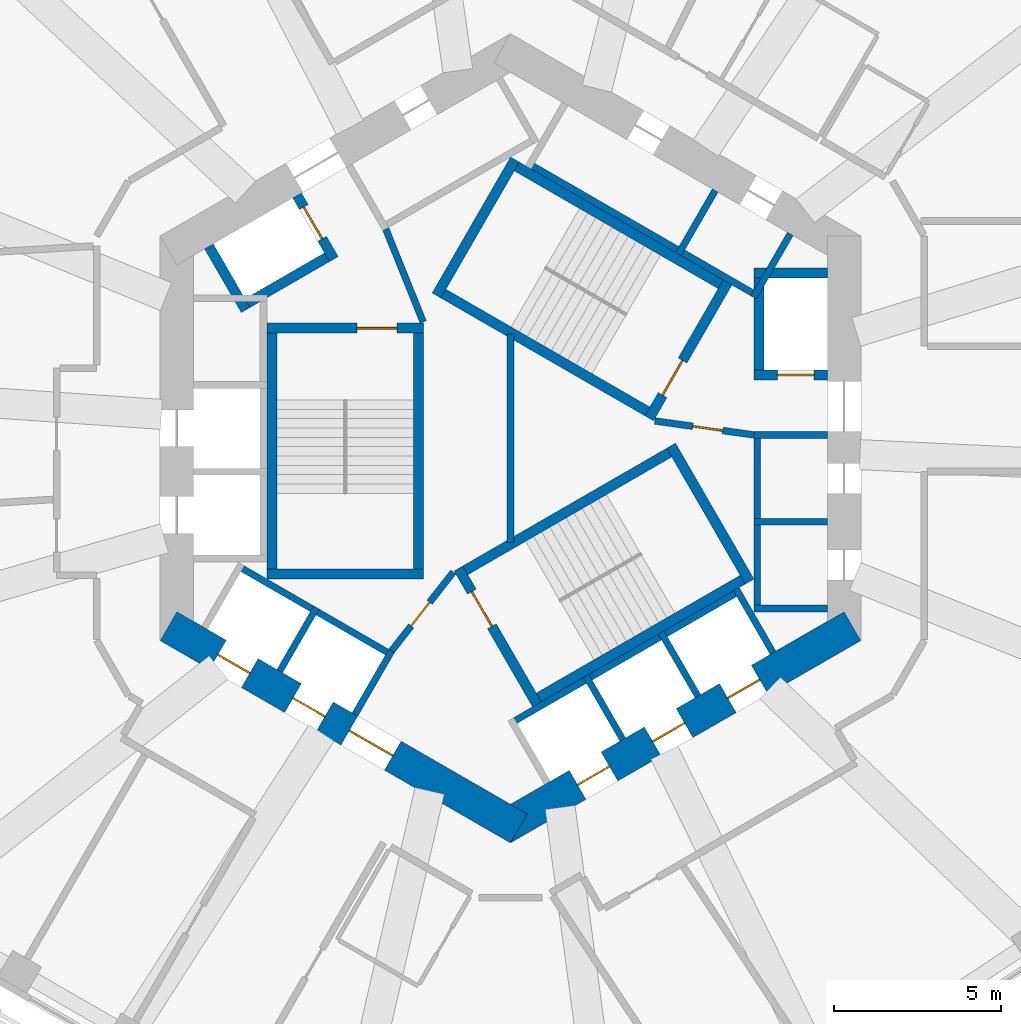
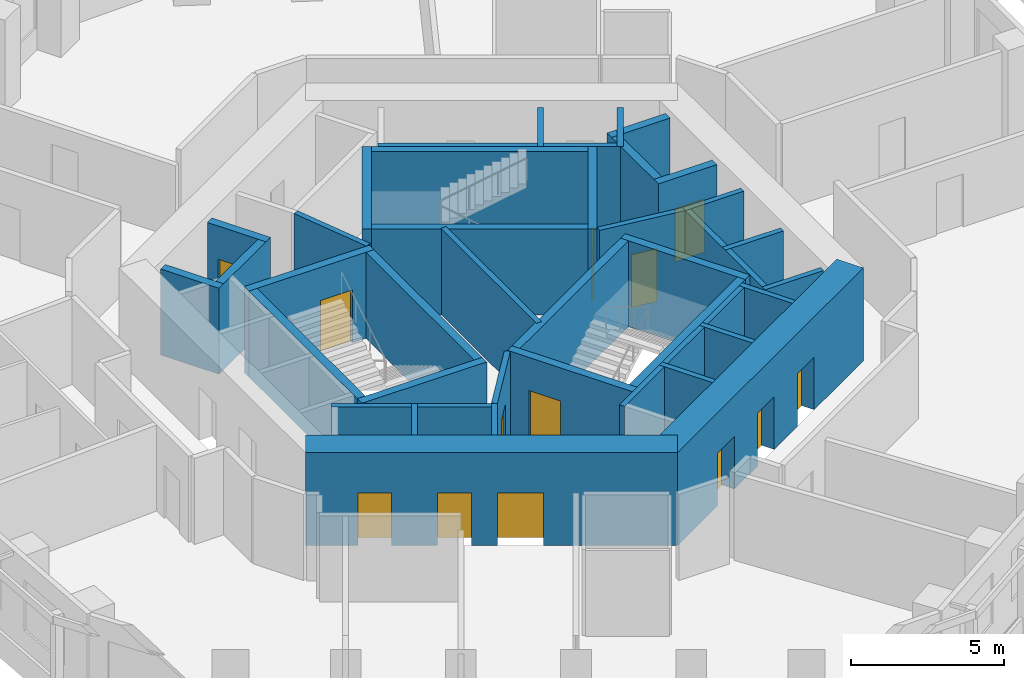
# One storey, part 5 of 10: 38 walls, 13 doors, 13 openings.
"""IFC4 building model written with IfcOpenShell, lengths in metres."""

from ifc_helpers import new_model, si_unit, direction, frame, frame_2d, origin, place, context, subcontext, project, spatial, rectangle, extrude, material, layer, layer_set, type_object, element, fill, save


model = new_model("IFC4")

# Units and contexts
model_context = context("Model", 3, precision=1e-05, world=origin(), true_north=direction((0.0, 1.0)))
body_context = subcontext(model_context, "Body", "Model", "MODEL_VIEW")
ifc_project = project(units=[si_unit("LENGTHUNIT", "METRE"), si_unit("AREAUNIT", "SQUARE_METRE"), si_unit("VOLUMEUNIT", "CUBIC_METRE"), si_unit("PLANEANGLEUNIT", "RADIAN"), si_unit("MASSUNIT", "GRAM", prefix="KILO")], contexts=[model_context])

# Site, building, storey
site_placement = place(None, origin())
site = spatial("IfcSite", under=ifc_project, at=site_placement, CompositionType="ELEMENT")
building_placement = place(site_placement, origin())
building = spatial("IfcBuilding", under=site, at=building_placement, Name="Vanh Sen Convention Tower", CompositionType="ELEMENT")
storey_placement = place(building_placement, frame((0.0, 0.0, 157.699951171875)))
storey = spatial("IfcBuildingStorey", under=building, at=storey_placement, Name="L38", CompositionType="ELEMENT", Elevation=157.699951171875)

# Wall, openings, doors
ifc_material_1 = material(Name="Concrete C80/95", Category="concrete")
ifc_layer_1 = layer(ifc_material_1, 1.0)
ifc_layer_set_1 = layer_set([ifc_layer_1], Name="Concrete C80/95")
wall_type_1 = type_object("IfcWallType", Name="Core outer wall 1000 C80/95", PredefinedType="SHEAR", material=ifc_layer_set_1)
wall_1_placement = place(storey_placement, frame((-10.25, -5.629150390625, 0.0), z_axis=(0.0, 0.0, 1.0), x_axis=(0.866022616891, -0.50000482701, 0.0)))
wall_1 = element("IfcWall", 1, at=wall_1_placement, inside=storey, type_object=wall_type_1, Name="Core wall face SW L38", PredefinedType="SHEAR", context=body_context, shape_type="SweptSolid", body=[
    extrude(rectangle(XDim=12.12451171875, YDim=1.0, at=frame_2d((6.062255859375, 0.0))), origin(), (0.0, 0.0, 1.0), 3.699951171875),
])
opening_1_placement = place(wall_1_placement, frame((6.26220703125, 0.0, 0.0)))
opening_1 = element("IfcOpeningElement", 2, at=opening_1_placement, cuts=wall_1, Name="Opening D38003", PredefinedType="OPENING", context=body_context, shape_type="SweptSolid", body=[
    extrude(rectangle(XDim=1.5, YDim=2.10009765625, at=frame_2d((0.75, 1.050048828125))), frame((0.0, 0.510009765625, 0.0), z_axis=(0.0, -1.0, 0.0), x_axis=(1.0, 0.0, 0.0)), (0.0, 0.0, 1.0), 1.02001953125),
])
opening_2_placement = place(wall_1_placement, frame((1.712158203125, 0.0, 0.0)))
opening_2 = element("IfcOpeningElement", 3, at=opening_2_placement, cuts=wall_1, Name="Opening LD-HR3", PredefinedType="OPENING", context=body_context, shape_type="SweptSolid", body=[
    extrude(rectangle(XDim=1.10009765625, YDim=2.10009765625, at=frame_2d((0.550048828125, 1.050048828125))), frame((0.0, 0.510009765625, 0.0), z_axis=(0.0, -1.0, 0.0), x_axis=(1.0, 0.0, 0.0)), (0.0, 0.0, 1.0), 1.02001953125),
])
opening_3_placement = place(wall_1_placement, frame((4.312255859375, 0.0, 0.0)))
opening_3 = element("IfcOpeningElement", 4, at=opening_3_placement, cuts=wall_1, Name="Opening LD-HR4", PredefinedType="OPENING", context=body_context, shape_type="SweptSolid", body=[
    extrude(rectangle(XDim=1.10009765625, YDim=2.10009765625, at=frame_2d((0.550048828125, 1.050048828125))), frame((0.0, 0.510009765625, 0.0), z_axis=(0.0, -1.0, 0.0), x_axis=(1.0, 0.0, 0.0)), (0.0, 0.0, 1.0), 1.02001953125),
])
ifc_material_2 = material(Name="Stainless steel", Category="steel")
door_type_1 = type_object("IfcDoorType", Name="Lift landing door 1100", OperationType="DOUBLE_DOOR_SLIDING", PredefinedType="DOOR", material=ifc_material_2)
door_1_placement = place(opening_2_placement, origin())
door_1 = element("IfcDoor", 5, at=door_1_placement, inside=storey, type_object=door_type_1, Name="Lift HR3 landing door LD-HR3", OperationType="DOUBLE_DOOR_SLIDING", OverallHeight=2.10009765625, OverallWidth=1.10009765625, PredefinedType="DOOR", context=body_context, shape_type="SweptSolid", body=[
    extrude(rectangle(XDim=1.10009765625, YDim=2.10009765625, at=frame_2d((0.550048828125, 1.050048828125))), frame((0.0, 0.02490234375, 0.0), z_axis=(0.0, -1.0, 0.0), x_axis=(1.0, 0.0, 0.0)), (0.0, 0.0, 1.0), 0.050048828125),
])
fill(opening_2, door_1)
door_2_placement = place(opening_3_placement, origin())
door_2 = element("IfcDoor", 6, at=door_2_placement, inside=storey, type_object=door_type_1, Name="Lift HR4 landing door LD-HR4", OperationType="DOUBLE_DOOR_SLIDING", OverallHeight=2.10009765625, OverallWidth=1.10009765625, PredefinedType="DOOR", context=body_context, shape_type="SweptSolid", body=[
    extrude(rectangle(XDim=1.10009765625, YDim=2.10009765625, at=frame_2d((0.550048828125, 1.050048828125))), frame((0.0, 0.02490234375, 0.0), z_axis=(0.0, -1.0, 0.0), x_axis=(1.0, 0.0, 0.0)), (0.0, 0.0, 1.0), 0.050048828125),
])
fill(opening_3, door_2)
ifc_material_3 = material(Name="Steel S355", Category="steel")
door_type_2 = type_object("IfcDoorType", Name="Stair lobby door 1500", OperationType="DOUBLE_DOOR_SINGLE_SWING", PredefinedType="DOOR", material=ifc_material_3)
door_3_placement = place(opening_1_placement, origin())
door_3 = element("IfcDoor", 7, at=door_3_placement, inside=storey, type_object=door_type_2, Name="Stair lobby door D38003", OperationType="DOUBLE_DOOR_SINGLE_SWING", OverallHeight=2.10009765625, OverallWidth=1.5, PredefinedType="DOOR", context=body_context, shape_type="SweptSolid", body=[
    extrude(rectangle(XDim=1.5, YDim=2.10009765625, at=frame_2d((0.75, 1.050048828125))), frame((0.0, 0.02490234375, 0.0), z_axis=(0.0, -1.0, 0.0), x_axis=(1.0, 0.0, 0.0)), (0.0, 0.0, 1.0), 0.050048828125),
])
fill(opening_1, door_3)

wall_2_placement = place(storey_placement, frame((-0.25, -11.69140625, 0.0), z_axis=(0.0, 0.0, 1.0), x_axis=(0.866022616891, 0.50000482701, 0.0)))
wall_2 = element("IfcWall", 8, at=wall_2_placement, inside=storey, type_object=wall_type_1, Name="Core wall face SE L38", PredefinedType="SHEAR", context=body_context, shape_type="SweptSolid", body=[
    extrude(rectangle(XDim=12.12451171875, YDim=1.0, at=frame_2d((6.062255859375, 0.0))), origin(), (0.0, 0.0, 1.0), 3.699951171875),
])
opening_4_placement = place(wall_2_placement, frame((2.6123046875, 0.0, 0.0)))
opening_4 = element("IfcOpeningElement", 9, at=opening_4_placement, cuts=wall_2, Name="Opening LD-HR5", PredefinedType="OPENING", context=body_context, shape_type="SweptSolid", body=[
    extrude(rectangle(XDim=1.10009765625, YDim=2.10009765625, at=frame_2d((0.550048828125, 1.050048828125))), frame((0.0, 0.510009765625, 0.0), z_axis=(0.0, -1.0, 0.0), x_axis=(1.0, 0.0, 0.0)), (0.0, 0.0, 1.0), 1.02001953125),
])
opening_5_placement = place(wall_2_placement, frame((5.212158203125, 0.0, 0.0)))
opening_5 = element("IfcOpeningElement", 10, at=opening_5_placement, cuts=wall_2, Name="Opening LD-HR6", PredefinedType="OPENING", context=body_context, shape_type="SweptSolid", body=[
    extrude(rectangle(XDim=1.10009765625, YDim=2.10009765625, at=frame_2d((0.550048828125, 1.050048828125))), frame((0.0, 0.510009765625, 0.0), z_axis=(0.0, -1.0, 0.0), x_axis=(1.0, 0.0, 0.0)), (0.0, 0.0, 1.0), 1.02001953125),
])
opening_6_placement = place(wall_2_placement, frame((7.812255859375, 0.0, 0.0)))
opening_6 = element("IfcOpeningElement", 11, at=opening_6_placement, cuts=wall_2, Name="Opening LD-SV1", PredefinedType="OPENING", context=body_context, shape_type="SweptSolid", body=[
    extrude(rectangle(XDim=1.10009765625, YDim=2.10009765625, at=frame_2d((0.550048828125, 1.050048828125))), frame((0.0, 0.510009765625, 0.0), z_axis=(0.0, -1.0, 0.0), x_axis=(1.0, 0.0, 0.0)), (0.0, 0.0, 1.0), 1.02001953125),
])
door_4_placement = place(opening_4_placement, origin())
door_4 = element("IfcDoor", 12, at=door_4_placement, inside=storey, type_object=door_type_1, Name="Lift HR5 landing door LD-HR5", OperationType="DOUBLE_DOOR_SLIDING", OverallHeight=2.10009765625, OverallWidth=1.10009765625, PredefinedType="DOOR", context=body_context, shape_type="SweptSolid", body=[
    extrude(rectangle(XDim=1.10009765625, YDim=2.10009765625, at=frame_2d((0.550048828125, 1.050048828125))), frame((0.0, 0.02490234375, 0.0), z_axis=(0.0, -1.0, 0.0), x_axis=(1.0, 0.0, 0.0)), (0.0, 0.0, 1.0), 0.050048828125),
])
fill(opening_4, door_4)
door_5_placement = place(opening_5_placement, origin())
door_5 = element("IfcDoor", 13, at=door_5_placement, inside=storey, type_object=door_type_1, Name="Lift HR6 landing door LD-HR6", OperationType="DOUBLE_DOOR_SLIDING", OverallHeight=2.10009765625, OverallWidth=1.10009765625, PredefinedType="DOOR", context=body_context, shape_type="SweptSolid", body=[
    extrude(rectangle(XDim=1.10009765625, YDim=2.10009765625, at=frame_2d((0.550048828125, 1.050048828125))), frame((0.0, 0.02490234375, 0.0), z_axis=(0.0, -1.0, 0.0), x_axis=(1.0, 0.0, 0.0)), (0.0, 0.0, 1.0), 0.050048828125),
])
fill(opening_5, door_5)
door_6_placement = place(opening_6_placement, origin())
door_6 = element("IfcDoor", 14, at=door_6_placement, inside=storey, type_object=door_type_1, Name="Lift SV1 landing door LD-SV1", OperationType="DOUBLE_DOOR_SLIDING", OverallHeight=2.10009765625, OverallWidth=1.10009765625, PredefinedType="DOOR", context=body_context, shape_type="SweptSolid", body=[
    extrude(rectangle(XDim=1.10009765625, YDim=2.10009765625, at=frame_2d((0.550048828125, 1.050048828125))), frame((0.0, 0.02490234375, 0.0), z_axis=(0.0, -1.0, 0.0), x_axis=(1.0, 0.0, 0.0)), (0.0, 0.0, 1.0), 0.050048828125),
])
fill(opening_6, door_6)

# Wall
ifc_material_4 = material(Name="Masonry blockwork", Category="masonry")
ifc_layer_2 = layer(ifc_material_4, 0.199951171875)
ifc_layer_set_2 = layer_set([ifc_layer_2], Name="Masonry blockwork")
wall_type_2 = type_object("IfcWallType", Name="Core partition 200", PredefinedType="PARTITIONING", material=ifc_layer_set_2)
wall_3_placement = place(storey_placement, frame((0.0, -3.122314453125, 0.0), z_axis=(0.0, 0.0, 1.0), x_axis=(0.0, 1.0, 0.0)))
element("IfcWall", 15, at=wall_3_placement, inside=storey, type_object=wall_type_2, Name="Core partition L38", PredefinedType="PARTITIONING", context=body_context, shape_type="SweptSolid", body=[
    extrude(rectangle(XDim=6.24462890625, YDim=0.199951171875, at=frame_2d((3.122314453125, 0.0))), origin(), (0.0, 0.0, 1.0), 3.420166015625),
])

# Wall, opening, door
ifc_material_5 = material(Name="Concrete C60/75", Category="concrete")
ifc_layer_3 = layer(ifc_material_5, 0.300048828125)
ifc_layer_set_3 = layer_set([ifc_layer_3], Name="Concrete C60/75")
wall_type_3 = type_object("IfcWallType", Name="Fire-fighting lift shaft wall 300", PredefinedType="SHEAR", material=ifc_layer_set_3)
wall_4_placement = place(storey_placement, frame((7.300048828125, 1.89990234375, 0.0), z_axis=(0.0, 0.0, 1.0), x_axis=(1.0, 0.0, 0.0)))
wall_4 = element("IfcWall", 16, at=wall_4_placement, inside=storey, type_object=wall_type_3, Name="Fire-fighting lift shaft wall L38", PredefinedType="SHEAR", context=body_context, shape_type="SweptSolid", body=[
    extrude(rectangle(XDim=2.199951171875, YDim=0.300048828125, at=frame_2d((1.10009765625, 0.0))), origin(), (0.0, 0.0, 1.0), 3.420166015625),
])
opening_7_placement = place(wall_4_placement, frame((0.699951171875, 0.0, 0.0)))
opening_7 = element("IfcOpeningElement", 17, at=opening_7_placement, cuts=wall_4, Name="Opening LD-FF1", PredefinedType="OPENING", context=body_context, shape_type="SweptSolid", body=[
    extrude(rectangle(XDim=1.10009765625, YDim=2.10009765625, at=frame_2d((0.550048828125, 1.050048828125))), frame((0.0, 0.159912109375, 0.0), z_axis=(0.0, -1.0, 0.0), x_axis=(1.0, 0.0, 0.0)), (0.0, 0.0, 1.0), 0.320068359375),
])
door_type_3 = type_object("IfcDoorType", Name="Fire-fighting lift landing door 1100", OperationType="DOUBLE_DOOR_SLIDING", PredefinedType="DOOR", material=ifc_material_2)
door_7_placement = place(opening_7_placement, origin())
door_7 = element("IfcDoor", 18, at=door_7_placement, inside=storey, type_object=door_type_3, Name="Lift FF1 landing door LD-FF1", OperationType="DOUBLE_DOOR_SLIDING", OverallHeight=2.10009765625, OverallWidth=1.10009765625, PredefinedType="DOOR", context=body_context, shape_type="SweptSolid", body=[
    extrude(rectangle(XDim=1.10009765625, YDim=2.10009765625, at=frame_2d((0.550048828125, 1.050048828125))), frame((0.0, 0.02490234375, 0.0), z_axis=(0.0, -1.0, 0.0), x_axis=(1.0, 0.0, 0.0)), (0.0, 0.0, 1.0), 0.050048828125),
])
fill(opening_7, door_7)

# Walls
wall_5_placement = place(storey_placement, frame((7.449951171875, 1.75, 0.0), z_axis=(0.0, 0.0, 1.0), x_axis=(0.0, 1.0, 0.0)))
element("IfcWall", 19, at=wall_5_placement, inside=storey, type_object=wall_type_3, Name="Fire-fighting lift shaft wall L38", PredefinedType="SHEAR", context=body_context, shape_type="SweptSolid", body=[
    extrude(rectangle(XDim=3.35009765625, YDim=0.300048828125, at=frame_2d((1.675048828125, 0.0))), origin(), (0.0, 0.0, 1.0), 3.420166015625),
])
wall_6_placement = place(storey_placement, frame((7.300048828125, 4.949951171875, 0.0), z_axis=(0.0, 0.0, 1.0), x_axis=(1.0, 0.0, 0.0)))
element("IfcWall", 20, at=wall_6_placement, inside=storey, type_object=wall_type_3, Name="Fire-fighting lift shaft wall L38", PredefinedType="SHEAR", context=body_context, shape_type="SweptSolid", body=[
    extrude(rectangle(XDim=2.199951171875, YDim=0.300048828125, at=frame_2d((1.10009765625, 0.0))), origin(), (0.0, 0.0, 1.0), 3.420166015625),
])

# Wall, opening, door
wall_7_placement = place(storey_placement, frame((-5.29541015625, 5.3720703125, 0.0), z_axis=(0.0, 0.0, 1.0), x_axis=(-0.500077893725, 0.86598042715, 0.0)))
wall_7 = element("IfcWall", 21, at=wall_7_placement, inside=storey, type_object=wall_type_3, Name="Fire-fighting lift shaft wall L38", PredefinedType="SHEAR", context=body_context, shape_type="SweptSolid", body=[
    extrude(rectangle(XDim=2.199951171875, YDim=0.300048828125, at=frame_2d((1.10009765625, 0.0))), origin(), (0.0, 0.0, 1.0), 3.420166015625),
])
opening_8_placement = place(wall_7_placement, frame((0.699951171875, 0.0, 0.0)))
opening_8 = element("IfcOpeningElement", 22, at=opening_8_placement, cuts=wall_7, Name="Opening LD-FF2", PredefinedType="OPENING", context=body_context, shape_type="SweptSolid", body=[
    extrude(rectangle(XDim=1.10009765625, YDim=2.10009765625, at=frame_2d((0.550048828125, 1.050048828125))), frame((0.0, 0.159912109375, 0.0), z_axis=(0.0, -1.0, 0.0), x_axis=(1.0, 0.0, 0.0)), (0.0, 0.0, 1.0), 0.320068359375),
])
door_8_placement = place(opening_8_placement, origin())
door_8 = element("IfcDoor", 23, at=door_8_placement, inside=storey, type_object=door_type_3, Name="Lift FF2 landing door LD-FF2", OperationType="DOUBLE_DOOR_SLIDING", OverallHeight=2.10009765625, OverallWidth=1.10009765625, PredefinedType="DOOR", context=body_context, shape_type="SweptSolid", body=[
    extrude(rectangle(XDim=1.10009765625, YDim=2.10009765625, at=frame_2d((0.550048828125, 1.050048828125))), frame((0.0, 0.02490234375, 0.0), z_axis=(0.0, -1.0, 0.0), x_axis=(1.0, 0.0, 0.0)), (0.0, 0.0, 1.0), 0.050048828125),
])
fill(opening_8, door_8)

# Walls
wall_8_placement = place(storey_placement, frame((-5.240478515625, 5.576904296875, 0.0), z_axis=(0.0, 0.0, 1.0), x_axis=(-0.866014461049, -0.500018952895, 0.0)))
element("IfcWall", 24, at=wall_8_placement, inside=storey, type_object=wall_type_3, Name="Fire-fighting lift shaft wall L38", PredefinedType="SHEAR", context=body_context, shape_type="SweptSolid", body=[
    extrude(rectangle(XDim=3.349853515625, YDim=0.300048828125, at=frame_2d((1.6748046875, 0.0))), origin(), (0.0, 0.0, 1.0), 3.420166015625),
])
wall_9_placement = place(storey_placement, frame((-7.936767578125, 3.846923828125, 0.0), z_axis=(0.0, 0.0, 1.0), x_axis=(-0.50002983664, 0.866008176907, 0.0)))
element("IfcWall", 25, at=wall_9_placement, inside=storey, type_object=wall_type_3, Name="Fire-fighting lift shaft wall L38", PredefinedType="SHEAR", context=body_context, shape_type="SweptSolid", body=[
    extrude(rectangle(XDim=2.199951171875, YDim=0.300048828125, at=frame_2d((1.10009765625, 0.0))), origin(), (0.0, 0.0, 1.0), 3.420166015625),
])
ifc_material_6 = material(Name="Concrete C40/50", Category="concrete")
ifc_layer_4 = layer(ifc_material_6, 0.199951171875)
ifc_layer_set_4 = layer_set([ifc_layer_4], Name="Concrete C40/50")
wall_type_4 = type_object("IfcWallType", Name="Lift shaft wall 200", PredefinedType="PARTITIONING", material=ifc_layer_set_4)
wall_10_placement = place(storey_placement, frame((7.39990234375, -5.199951171875, 0.0), z_axis=(0.0, 0.0, 1.0), x_axis=(0.0, 1.0, 0.0)))
element("IfcWall", 26, at=wall_10_placement, inside=storey, type_object=wall_type_4, Name="Lift shaft wall L38", PredefinedType="PARTITIONING", context=body_context, shape_type="SweptSolid", body=[
    extrude(rectangle(XDim=5.39990234375, YDim=0.199951171875, at=frame_2d((2.699951171875, 0.0))), origin(), (0.0, 0.0, 1.0), 3.420166015625),
])
for number, where, z_axis, x_axis, name in (
    (27, (7.300048828125, -5.10009765625, 0.0), (0.0, 0.0, 1.0), (1.0, 0.0, 0.0), "Lift shaft wall L38"),
    (28, (7.300048828125, -2.5, 0.0), (0.0, 0.0, 1.0), (1.0, 0.0, 0.0), "Lift shaft wall L38"),
    (29, (7.300048828125, 0.10009765625, 0.0), (0.0, 0.0, 1.0), (1.0, 0.0, 0.0), "Lift shaft wall L38"),
):
    element("IfcWall", number, at=place(storey_placement, frame(where, z_axis=z_axis, x_axis=x_axis)), inside=storey, type_object=wall_type_4, Name=name, PredefinedType="PARTITIONING", context=body_context, shape_type="SweptSolid", body=[
        extrude(rectangle(XDim=2.199951171875, YDim=0.199951171875, at=frame_2d((1.10009765625, 0.0))), origin(), (0.0, 0.0, 1.0), 3.420166015625),
    ])
wall_11_placement = place(storey_placement, frame((7.423828125, 4.258544921875, 0.0), z_axis=(0.0, 0.0, 1.0), x_axis=(-0.866026010844, 0.49999894854, 0.0)))
element("IfcWall", 30, at=wall_11_placement, inside=storey, type_object=wall_type_4, Name="Lift shaft wall L38", PredefinedType="PARTITIONING", context=body_context, shape_type="SweptSolid", body=[
    extrude(rectangle(XDim=8.0, YDim=0.199951171875, at=frame_2d((4.0, 0.0))), origin(), (0.0, 0.0, 1.0), 3.420166015625),
])
for number, where, z_axis, x_axis, name in (
    (31, (7.287353515625, 4.221923828125, 0.0), (0.0, 0.0, 1.0), (0.499946605688, 0.86605622881, 0.0), "Lift shaft wall L38"),
    (32, (5.03564453125, 5.52197265625, 0.0), (0.0, 0.0, 1.0), (0.499946605688, 0.86605622881, 0.0), "Lift shaft wall L38"),
):
    element("IfcWall", number, at=place(storey_placement, frame(where, z_axis=z_axis, x_axis=x_axis)), inside=storey, type_object=wall_type_4, Name=name, PredefinedType="PARTITIONING", context=body_context, shape_type="SweptSolid", body=[
        extrude(rectangle(XDim=2.199951171875, YDim=0.199951171875, at=frame_2d((1.10009765625, 0.0))), origin(), (0.0, 0.0, 1.0), 3.420166015625),
    ])
wall_12_placement = place(storey_placement, frame((-8.203369140625, -3.80859375, 0.0), z_axis=(0.0, 0.0, 1.0), x_axis=(0.866028230842, -0.499995103361, 0.0)))
element("IfcWall", 33, at=wall_12_placement, inside=storey, type_object=wall_type_4, Name="Lift shaft wall L38", PredefinedType="PARTITIONING", context=body_context, shape_type="SweptSolid", body=[
    extrude(rectangle(XDim=5.39990234375, YDim=0.199951171875, at=frame_2d((2.699951171875, 0.0))), origin(), (0.0, 0.0, 1.0), 3.420166015625),
])
wall_13_placement = place(storey_placement, frame((-5.815185546875, -5.072021484375, 0.0), z_axis=(0.0, 0.0, 1.0), x_axis=(-0.499946605688, -0.86605622881, 0.0)))
element("IfcWall", 34, at=wall_13_placement, inside=storey, type_object=wall_type_4, Name="Lift shaft wall L38", PredefinedType="PARTITIONING", context=body_context, shape_type="SweptSolid", body=[
    extrude(rectangle(XDim=2.199951171875, YDim=0.199951171875, at=frame_2d((1.10009765625, 0.0))), origin(), (0.0, 0.0, 1.0), 3.420166015625),
])
wall_14_placement = place(storey_placement, frame((-3.5634765625, -6.3720703125, 0.0), z_axis=(0.0, 0.0, 1.0), x_axis=(-0.499994660107, -0.866028486751, 0.0)))
element("IfcWall", 35, at=wall_14_placement, inside=storey, type_object=wall_type_4, Name="Lift shaft wall L38", PredefinedType="PARTITIONING", context=body_context, shape_type="SweptSolid", body=[
    extrude(rectangle(XDim=2.19970703125, YDim=0.199951171875, at=frame_2d((1.099853515625, 0.0))), origin(), (0.0, 0.0, 1.0), 3.420166015625),
])
wall_15_placement = place(storey_placement, frame((-0.02392578125, -8.55859375, 0.0), z_axis=(0.0, 0.0, 1.0), x_axis=(0.866026010844, 0.49999894854, 0.0)))
element("IfcWall", 36, at=wall_15_placement, inside=storey, type_object=wall_type_4, Name="Lift shaft wall L38", PredefinedType="PARTITIONING", context=body_context, shape_type="SweptSolid", body=[
    extrude(rectangle(XDim=8.0, YDim=0.199951171875, at=frame_2d((4.0, 0.0))), origin(), (0.0, 0.0, 1.0), 3.420166015625),
])
for number, where, z_axis, x_axis, name in (
    (37, (2.264404296875, -7.1220703125, 0.0), (0.0, 0.0, 1.0), (0.500077893725, -0.86598042715, 0.0), "Lift shaft wall L38"),
    (38, (4.51611328125, -5.822021484375, 0.0), (0.0, 0.0, 1.0), (0.499946605688, -0.86605622881, 0.0), "Lift shaft wall L38"),
    (39, (6.767578125, -4.52197265625, 0.0), (0.0, 0.0, 1.0), (0.50002983664, -0.866008176907, 0.0), "Lift shaft wall L38"),
):
    element("IfcWall", number, at=place(storey_placement, frame(where, z_axis=z_axis, x_axis=x_axis)), inside=storey, type_object=wall_type_4, Name=name, PredefinedType="PARTITIONING", context=body_context, shape_type="SweptSolid", body=[
        extrude(rectangle(XDim=2.199951171875, YDim=0.199951171875, at=frame_2d((1.10009765625, 0.0))), origin(), (0.0, 0.0, 1.0), 3.420166015625),
    ])

# Wall, opening, door
ifc_layer_5 = layer(ifc_material_6, 0.199951171875)
ifc_layer_set_5 = layer_set([ifc_layer_5], Name="Concrete C40/50")
wall_type_5 = type_object("IfcWallType", Name="Stair lobby wall 200", PredefinedType="PARTITIONING", material=ifc_layer_set_5)
wall_16_placement = place(storey_placement, frame((4.327392578125, 0.52099609375, 0.0), z_axis=(0.0, 0.0, 1.0), x_axis=(0.990124376366, -0.14019172346, 0.0)))
wall_16 = element("IfcWall", 40, at=wall_16_placement, inside=storey, type_object=wall_type_5, Name="Stair lobby wall L38", PredefinedType="PARTITIONING", context=body_context, shape_type="SweptSolid", body=[
    extrude(rectangle(XDim=3.002197265625, YDim=0.199951171875, at=frame_2d((1.5009765625, 0.0))), origin(), (0.0, 0.0, 1.0), 3.420166015625),
])
opening_9_placement = place(wall_16_placement, frame((1.14990234375, 0.0, 0.0)))
opening_9 = element("IfcOpeningElement", 41, at=opening_9_placement, cuts=wall_16, Name="Opening D38007", PredefinedType="OPENING", context=body_context, shape_type="SweptSolid", body=[
    extrude(rectangle(XDim=0.89990234375, YDim=2.10009765625, at=frame_2d((0.449951171875, 1.050048828125))), frame((0.0, 0.10986328125, 0.0), z_axis=(0.0, -1.0, 0.0), x_axis=(1.0, 0.0, 0.0)), (0.0, 0.0, 1.0), 0.219970703125),
])
door_type_4 = type_object("IfcDoorType", Name="Plant door 900", OperationType="SINGLE_SWING_LEFT", PredefinedType="DOOR", material=ifc_material_3)
door_9_placement = place(opening_9_placement, origin())
door_9 = element("IfcDoor", 42, at=door_9_placement, inside=storey, type_object=door_type_4, Name="Plant door D38007", OperationType="SINGLE_SWING_LEFT", OverallHeight=2.10009765625, OverallWidth=0.89990234375, PredefinedType="DOOR", context=body_context, shape_type="SweptSolid", body=[
    extrude(rectangle(XDim=0.89990234375, YDim=2.10009765625, at=frame_2d((0.449951171875, 1.050048828125))), frame((0.0, 0.02490234375, 0.0), z_axis=(0.0, -1.0, 0.0), x_axis=(1.0, 0.0, 0.0)), (0.0, 0.0, 1.0), 0.050048828125),
])
fill(opening_9, door_9)

# Wall
wall_17_placement = place(storey_placement, frame((-2.614990234375, 3.487060546875, 0.0), z_axis=(0.0, 0.0, 1.0), x_axis=(-0.373576831041, 0.92759924068, 0.0)))
element("IfcWall", 43, at=wall_17_placement, inside=storey, type_object=wall_type_5, Name="Stair lobby wall L38", PredefinedType="PARTITIONING", context=body_context, shape_type="SweptSolid", body=[
    extrude(rectangle(XDim=3.002197265625, YDim=0.199951171875, at=frame_2d((1.5009765625, 0.0))), origin(), (0.0, 0.0, 1.0), 3.420166015625),
])

# Wall, opening, door
wall_18_placement = place(storey_placement, frame((-1.71240234375, -4.00830078125, 0.0), z_axis=(0.0, 0.0, 1.0), x_axis=(-0.616549420702, -0.787316208287, 0.0)))
wall_18 = element("IfcWall", 44, at=wall_18_placement, inside=storey, type_object=wall_type_5, Name="Stair lobby wall L38", PredefinedType="PARTITIONING", context=body_context, shape_type="SweptSolid", body=[
    extrude(rectangle(XDim=3.002197265625, YDim=0.199951171875, at=frame_2d((1.5009765625, 0.0))), origin(), (0.0, 0.0, 1.0), 3.420166015625),
])
opening_10_placement = place(wall_18_placement, frame((1.14990234375, 0.0, 0.0)))
opening_10 = element("IfcOpeningElement", 45, at=opening_10_placement, cuts=wall_18, Name="Opening D38008", PredefinedType="OPENING", context=body_context, shape_type="SweptSolid", body=[
    extrude(rectangle(XDim=0.89990234375, YDim=2.10009765625, at=frame_2d((0.449951171875, 1.050048828125))), frame((0.0, 0.10986328125, 0.0), z_axis=(0.0, -1.0, 0.0), x_axis=(1.0, 0.0, 0.0)), (0.0, 0.0, 1.0), 0.219970703125),
])
door_10_placement = place(opening_10_placement, origin())
door_10 = element("IfcDoor", 46, at=door_10_placement, inside=storey, type_object=door_type_4, Name="Plant door D38008", OperationType="SINGLE_SWING_LEFT", OverallHeight=2.10009765625, OverallWidth=0.89990234375, PredefinedType="DOOR", context=body_context, shape_type="SweptSolid", body=[
    extrude(rectangle(XDim=0.89990234375, YDim=2.10009765625, at=frame_2d((0.449951171875, 1.050048828125))), frame((0.0, 0.02490234375, 0.0), z_axis=(0.0, -1.0, 0.0), x_axis=(1.0, 0.0, 0.0)), (0.0, 0.0, 1.0), 0.050048828125),
])
fill(opening_10, door_10)

ifc_layer_6 = layer(ifc_material_5, 0.300048828125)
ifc_layer_set_6 = layer_set([ifc_layer_6], Name="Concrete C60/75")
wall_type_6 = type_object("IfcWallType", Name="Stair wall 300", PredefinedType="SHEAR", material=ifc_layer_set_6)
wall_19_placement = place(storey_placement, frame((4.157958984375, 0.601806640625, 0.0), z_axis=(0.0, 0.0, 1.0), x_axis=(0.499977259774, 0.866038532462, 0.0)))
wall_19 = element("IfcWall", 47, at=wall_19_placement, inside=storey, type_object=wall_type_6, Name="Stair wall L38", PredefinedType="SHEAR", context=body_context, shape_type="SweptSolid", body=[
    extrude(rectangle(XDim=4.699951171875, YDim=0.300048828125, at=frame_2d((2.35009765625, 0.0))), origin(), (0.0, 0.0, 1.0), 3.420166015625),
])
opening_11_placement = place(wall_19_placement, frame((0.800048828125, 0.0, 0.0)))
opening_11 = element("IfcOpeningElement", 48, at=opening_11_placement, cuts=wall_19, Name="Opening D38004", PredefinedType="OPENING", context=body_context, shape_type="SweptSolid", body=[
    extrude(rectangle(XDim=1.199951171875, YDim=2.10009765625, at=frame_2d((0.60009765625, 1.050048828125))), frame((0.0, 0.159912109375, 0.0), z_axis=(0.0, -1.0, 0.0), x_axis=(1.0, 0.0, 0.0)), (0.0, 0.0, 1.0), 0.320068359375),
])
door_type_5 = type_object("IfcDoorType", Name="Stair door 1200", OperationType="SINGLE_SWING_RIGHT", PredefinedType="DOOR", material=ifc_material_3)
door_11_placement = place(opening_11_placement, origin())
door_11 = element("IfcDoor", 49, at=door_11_placement, inside=storey, type_object=door_type_5, Name="Stair ST1 door D38004", OperationType="SINGLE_SWING_RIGHT", OverallHeight=2.10009765625, OverallWidth=1.199951171875, PredefinedType="DOOR", context=body_context, shape_type="SweptSolid", body=[
    extrude(rectangle(XDim=1.199951171875, YDim=2.10009765625, at=frame_2d((0.60009765625, 1.050048828125))), frame((0.0, 0.02490234375, 0.0), z_axis=(0.0, -1.0, 0.0), x_axis=(1.0, 0.0, 0.0)), (0.0, 0.0, 1.0), 0.050048828125),
])
fill(opening_11, door_11)

# Walls
wall_20_placement = place(storey_placement, frame((-2.216064453125, 4.28173828125, 0.0), z_axis=(0.0, 0.0, 1.0), x_axis=(0.499977259774, 0.866038532462, 0.0)))
element("IfcWall", 50, at=wall_20_placement, inside=storey, type_object=wall_type_6, Name="Stair wall L38", PredefinedType="SHEAR", context=body_context, shape_type="SweptSolid", body=[
    extrude(rectangle(XDim=4.699951171875, YDim=0.300048828125, at=frame_2d((2.35009765625, 0.0))), origin(), (0.0, 0.0, 1.0), 3.420166015625),
])
for number, where, z_axis, x_axis, name in (
    (51, (4.10302734375, 0.806640625, 0.0), (0.0, 0.0, 1.0), (-0.866027801685, 0.499995846692, 0.0), "Stair wall L38"),
    (52, (6.302978515625, 4.6171875, 0.0), (0.0, 0.0, 1.0), (-0.866027801685, 0.499995846692, 0.0), "Stair wall L38"),
):
    element("IfcWall", number, at=place(storey_placement, frame(where, z_axis=z_axis, x_axis=x_axis)), inside=storey, type_object=wall_type_6, Name=name, PredefinedType="SHEAR", context=body_context, shape_type="SweptSolid", body=[
        extrude(rectangle(XDim=7.06005859375, YDim=0.300048828125, at=frame_2d((3.530029296875, 0.0))), origin(), (0.0, 0.0, 1.0), 3.420166015625),
    ])

# Wall, opening, door
wall_21_placement = place(storey_placement, frame((-2.60009765625, 3.300048828125, 0.0), z_axis=(0.0, 0.0, 1.0), x_axis=(-1.0, 0.0, 0.0)))
wall_21 = element("IfcWall", 53, at=wall_21_placement, inside=storey, type_object=wall_type_6, Name="Stair wall L38", PredefinedType="SHEAR", context=body_context, shape_type="SweptSolid", body=[
    extrude(rectangle(XDim=4.699951171875, YDim=0.300048828125, at=frame_2d((2.35009765625, 0.0))), origin(), (0.0, 0.0, 1.0), 3.420166015625),
])
opening_12_placement = place(wall_21_placement, frame((0.800048828125, 0.0, 0.0)))
opening_12 = element("IfcOpeningElement", 54, at=opening_12_placement, cuts=wall_21, Name="Opening D38005", PredefinedType="OPENING", context=body_context, shape_type="SweptSolid", body=[
    extrude(rectangle(XDim=1.199951171875, YDim=2.10009765625, at=frame_2d((0.60009765625, 1.050048828125))), frame((0.0, 0.159912109375, 0.0), z_axis=(0.0, -1.0, 0.0), x_axis=(1.0, 0.0, 0.0)), (0.0, 0.0, 1.0), 0.320068359375),
])
door_12_placement = place(opening_12_placement, origin())
door_12 = element("IfcDoor", 55, at=door_12_placement, inside=storey, type_object=door_type_5, Name="Stair ST2 door D38005", OperationType="SINGLE_SWING_RIGHT", OverallHeight=2.10009765625, OverallWidth=1.199951171875, PredefinedType="DOOR", context=body_context, shape_type="SweptSolid", body=[
    extrude(rectangle(XDim=1.199951171875, YDim=2.10009765625, at=frame_2d((0.60009765625, 1.050048828125))), frame((0.0, 0.02490234375, 0.0), z_axis=(0.0, -1.0, 0.0), x_axis=(1.0, 0.0, 0.0)), (0.0, 0.0, 1.0), 0.050048828125),
])
fill(opening_12, door_12)

# Walls
wall_22_placement = place(storey_placement, frame((-2.60009765625, -4.06005859375, 0.0), z_axis=(0.0, 0.0, 1.0), x_axis=(-1.0, 0.0, 0.0)))
element("IfcWall", 56, at=wall_22_placement, inside=storey, type_object=wall_type_6, Name="Stair wall L38", PredefinedType="SHEAR", context=body_context, shape_type="SweptSolid", body=[
    extrude(rectangle(XDim=4.699951171875, YDim=0.300048828125, at=frame_2d((2.35009765625, 0.0))), origin(), (0.0, 0.0, 1.0), 3.420166015625),
])
for number, where, z_axis, x_axis, name in (
    (57, (-2.75, 3.14990234375, 0.0), (0.0, 0.0, 1.0), (0.0, -1.0, 0.0), "Stair wall L38"),
    (58, (-7.14990234375, 3.14990234375, 0.0), (0.0, 0.0, 1.0), (0.0, -1.0, 0.0), "Stair wall L38"),
):
    element("IfcWall", number, at=place(storey_placement, frame(where, z_axis=z_axis, x_axis=x_axis)), inside=storey, type_object=wall_type_6, Name=name, PredefinedType="SHEAR", context=body_context, shape_type="SweptSolid", body=[
        extrude(rectangle(XDim=7.059814453125, YDim=0.300048828125, at=frame_2d((3.52978515625, 0.0))), origin(), (0.0, 0.0, 1.0), 3.420166015625),
    ])

# Wall, opening, door
wall_23_placement = place(storey_placement, frame((-1.557861328125, -3.901611328125, 0.0), z_axis=(0.0, 0.0, 1.0), x_axis=(0.499977259774, -0.866038532462, 0.0)))
wall_23 = element("IfcWall", 59, at=wall_23_placement, inside=storey, type_object=wall_type_6, Name="Stair wall L38", PredefinedType="SHEAR", context=body_context, shape_type="SweptSolid", body=[
    extrude(rectangle(XDim=4.699951171875, YDim=0.300048828125, at=frame_2d((2.35009765625, 0.0))), origin(), (0.0, 0.0, 1.0), 3.420166015625),
])
opening_13_placement = place(wall_23_placement, frame((0.800048828125, 0.0, 0.0)))
opening_13 = element("IfcOpeningElement", 60, at=opening_13_placement, cuts=wall_23, Name="Opening D38006", PredefinedType="OPENING", context=body_context, shape_type="SweptSolid", body=[
    extrude(rectangle(XDim=1.199951171875, YDim=2.10009765625, at=frame_2d((0.60009765625, 1.050048828125))), frame((0.0, 0.159912109375, 0.0), z_axis=(0.0, -1.0, 0.0), x_axis=(1.0, 0.0, 0.0)), (0.0, 0.0, 1.0), 0.320068359375),
])
door_13_placement = place(opening_13_placement, origin())
door_13 = element("IfcDoor", 61, at=door_13_placement, inside=storey, type_object=door_type_5, Name="Stair ST3 door D38006", OperationType="SINGLE_SWING_RIGHT", OverallHeight=2.10009765625, OverallWidth=1.199951171875, PredefinedType="DOOR", context=body_context, shape_type="SweptSolid", body=[
    extrude(rectangle(XDim=1.199951171875, YDim=2.10009765625, at=frame_2d((0.60009765625, 1.050048828125))), frame((0.0, 0.02490234375, 0.0), z_axis=(0.0, -1.0, 0.0), x_axis=(1.0, 0.0, 0.0)), (0.0, 0.0, 1.0), 0.050048828125),
])
fill(opening_13, door_13)

# Walls
wall_24_placement = place(storey_placement, frame((4.816162109375, -0.2216796875, 0.0), z_axis=(0.0, 0.0, 1.0), x_axis=(0.499977259774, -0.866038532462, 0.0)))
element("IfcWall", 62, at=wall_24_placement, inside=storey, type_object=wall_type_6, Name="Stair wall L38", PredefinedType="SHEAR", context=body_context, shape_type="SweptSolid", body=[
    extrude(rectangle(XDim=4.699951171875, YDim=0.300048828125, at=frame_2d((2.35009765625, 0.0))), origin(), (0.0, 0.0, 1.0), 3.420166015625),
])
for number, where, z_axis, x_axis, name in (
    (63, (-1.35302734375, -3.95654296875, 0.0), (0.0, 0.0, 1.0), (0.866027801685, 0.499995846692, 0.0), "Stair wall L38"),
    (64, (0.846923828125, -7.76708984375, 0.0), (0.0, 0.0, 1.0), (0.866027801685, 0.499995846692, 0.0), "Stair wall L38"),
):
    element("IfcWall", number, at=place(storey_placement, frame(where, z_axis=z_axis, x_axis=x_axis)), inside=storey, type_object=wall_type_6, Name=name, PredefinedType="SHEAR", context=body_context, shape_type="SweptSolid", body=[
        extrude(rectangle(XDim=7.06005859375, YDim=0.300048828125, at=frame_2d((3.530029296875, 0.0))), origin(), (0.0, 0.0, 1.0), 3.420166015625),
    ])

save(model, "model.ifc")
